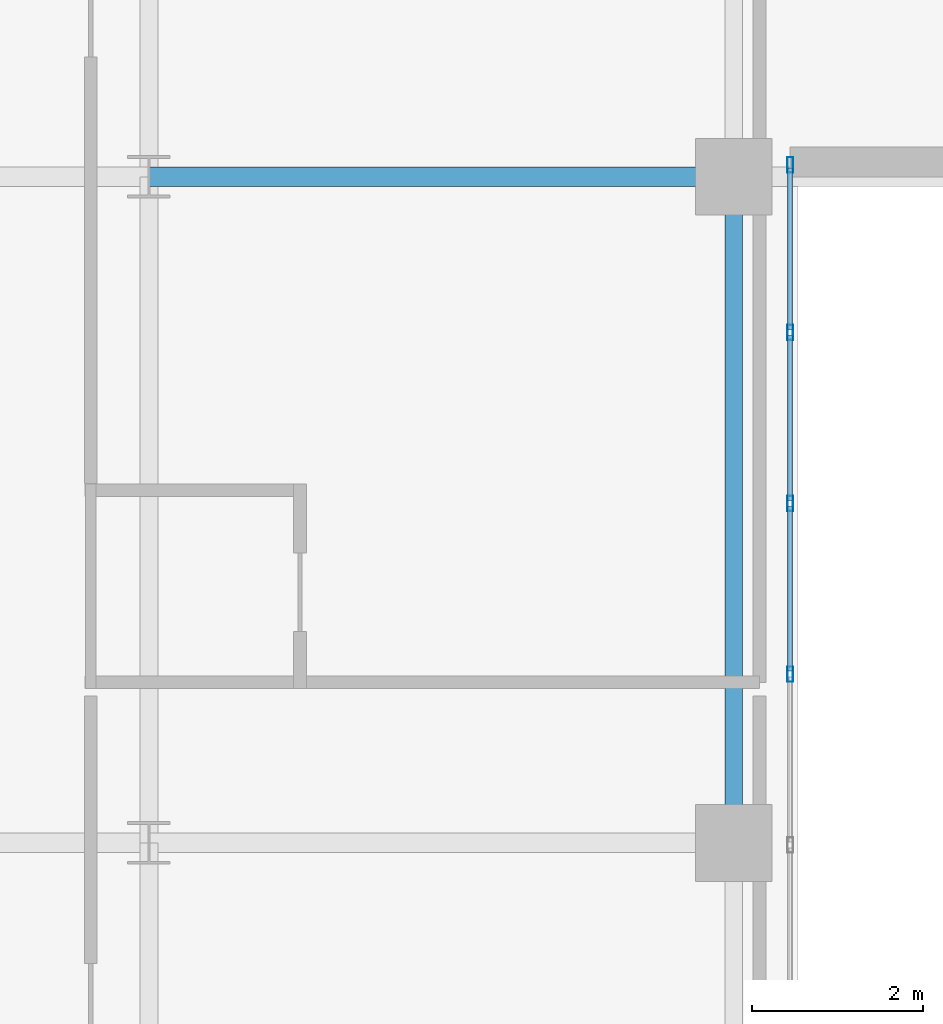
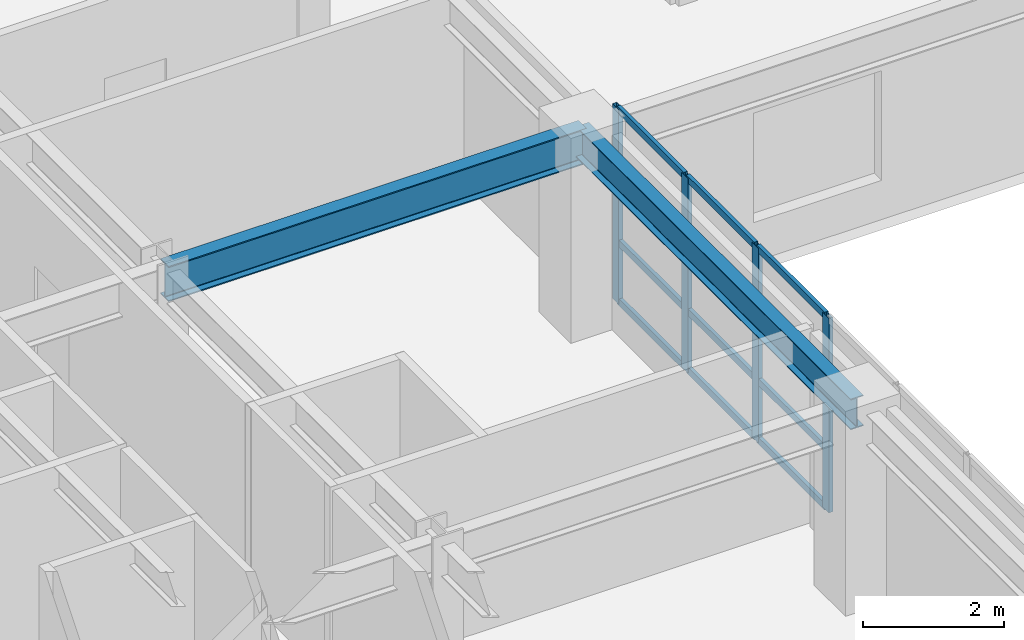
# One storey, part 3 of 16: 13 members, 2 beams, 1 element without a shape of its own.
"""IFC4 building model written with IfcOpenShell, lengths in metres."""

from ifc_helpers import new_model, si_unit, direction, frame, origin, origin_2d, place, context, subcontext, project, spatial, hollow_rectangle, i_section, extrude, source, transform, mapped, material, layer, layer_set, material_profile, profile_set, type_object, type_shapes, element, aggregate, save


model = new_model("IFC4")

# Units and contexts
model_context = context("Model", 3, precision=1e-05, world=origin(), true_north=direction((0.0, 1.0)))
body_context = subcontext(model_context, "Body", "Model", "MODEL_VIEW")
ifc_project = project(units=[si_unit("LENGTHUNIT", "METRE"), si_unit("AREAUNIT", "SQUARE_METRE"), si_unit("VOLUMEUNIT", "CUBIC_METRE"), si_unit("PLANEANGLEUNIT", "RADIAN"), si_unit("MASSUNIT", "GRAM", prefix="KILO")], contexts=[model_context])

# Site, building, storey
site_placement = place(None, origin())
site = spatial("IfcSite", under=ifc_project, at=site_placement, CompositionType="ELEMENT")
building_placement = place(site_placement, origin())
building = spatial("IfcBuilding", under=site, at=building_placement, Name="Tolvann Quenvar Hotel", CompositionType="ELEMENT")
storey_placement = place(building_placement, frame((0.0, 0.0, 85.25)))
storey = spatial("IfcBuildingStorey", under=building, at=storey_placement, Name="L21", CompositionType="ELEMENT", Elevation=85.25)

# Beams
ifc_material_1 = material(Name="Steel Grade 350", Category="steel")
ifc_material_profile_1 = material_profile(ifc_material_1, i_section(OverallWidth=0.22900390625, OverallDepth=0.612060546875, WebThickness=0.011962890625, FlangeThickness=0.01953125, FilletRadius=0.013916015625, at=origin_2d()), Name="610UB125")
ifc_profile_set_1 = profile_set([ifc_material_profile_1], Name="Steel Grade 350")
beam_type_1 = type_object("IfcBeamType", Name="BM_GIRD_610UB125", PredefinedType="BEAM", material=ifc_profile_set_1)
shared_shape_1 = source(origin(), body_context, "Body", "SweptSolid", [
    extrude(i_section(OverallWidth=0.22900390625, OverallDepth=0.612060546875, WebThickness=0.011962890625, FlangeThickness=0.01953125, FilletRadius=0.013916015625, at=origin_2d()), origin(), (0.0, 0.0, 1.0), 6.85009765625),
])
type_shapes(beam_type_1, [shared_shape_1])
beam_1_placement = place(storey_placement, frame((15.199951171875, 16.0, 3.06396484375), z_axis=(1.0, 0.0, 0.0), x_axis=(0.0, 1.0, 0.0)))
element("IfcBeam", 1, at=beam_1_placement, inside=storey, type_object=beam_type_1, Name="BM-L21-EW-4-D4-E4", PredefinedType="BEAM", context=body_context, shape_type="MappedRepresentation", body=[
    mapped(shared_shape_1, transform((0.0, 0.0, 0.0), x_axis=(1.0, 0.0, 0.0), y_axis=(0.0, 1.0, 0.0), z_axis=(0.0, 0.0, 1.0), scale=1.0)),
])
ifc_material_profile_2 = material_profile(ifc_material_1, i_section(OverallWidth=0.208984375, OverallDepth=0.532958984375, WebThickness=0.01025390625, FlangeThickness=0.015625, FilletRadius=0.013916015625, at=origin_2d()), Name="530UB92")
ifc_profile_set_2 = profile_set([ifc_material_profile_2], Name="Steel Grade 350")
beam_type_2 = type_object("IfcBeamType", Name="BM_GIRD_530UB92", PredefinedType="BEAM", material=ifc_profile_set_2)
shared_shape_2 = source(origin(), body_context, "Body", "SweptSolid", [
    extrude(i_section(OverallWidth=0.208984375, OverallDepth=0.532958984375, WebThickness=0.01025390625, FlangeThickness=0.015625, FilletRadius=0.013916015625, at=origin_2d()), origin(), (0.0, 0.0, 1.0), 7.800048828125),
])
type_shapes(beam_type_2, [shared_shape_2])
beam_2_placement = place(storey_placement, frame((22.050048828125, 8.199951171875, 3.103515625), z_axis=(0.0, 1.0, 0.0), x_axis=(-1.0, 0.0, 0.0)))
element("IfcBeam", 2, at=beam_2_placement, inside=storey, type_object=beam_type_2, Name="BM-L21-NS-E3-E4", PredefinedType="BEAM", context=body_context, shape_type="MappedRepresentation", body=[
    mapped(shared_shape_2, transform((0.0, 0.0, 0.0), x_axis=(1.0, 0.0, 0.0), y_axis=(0.0, 1.0, 0.0), z_axis=(0.0, 0.0, 1.0), scale=1.0)),
])

# Curtain wall, members
ifc_material_2 = material(Name="Thermally broken anodised architectural aluminium 6063-T6 and laminated low-E glass", Category="aluminium")
ifc_layer = layer(ifc_material_2, 0.179931640625)
ifc_layer_set = layer_set([ifc_layer], Name="Thermally broken anodised architectural aluminium 6063-T6 and laminated low-E glass")
curtain_wall_type = type_object("IfcCurtainWallType", Name="CW_SYS_SLOT_03", PredefinedType="USERDEFINED", material=ifc_layer_set)
curtain_wall_placement = place(storey_placement, origin())
curtain_wall = element("IfcCurtainWall", 3, at=curtain_wall_placement, inside=storey, type_object=curtain_wall_type, Name="Curtain Wall CW-SLOT-03 (CWR-L21-E05)", ObjectType="UNITISED CURTAIN WALL", PredefinedType="USERDEFINED")
ifc_material_3 = material(Name="Anodised architectural aluminium 6063-T6 framing", Category="aluminium")
ifc_material_profile_3 = material_profile(ifc_material_3, hollow_rectangle(XDim=0.070068359375, YDim=0.179931640625, WallThickness=0.00390625, at=origin_2d()), Name="180x70x4RHS")
ifc_profile_set_3 = profile_set([ifc_material_profile_3], Name="Anodised architectural aluminium 6063-T6 framing")
member_type_1 = type_object("IfcMemberType", Name="CW_MULL_180x70", PredefinedType="MULLION", material=ifc_profile_set_3)
shared_shape_3 = source(origin(), body_context, "Body", "SweptSolid", [
    extrude(hollow_rectangle(XDim=0.070068359375, YDim=0.179931640625, WallThickness=0.00390625, at=origin_2d()), origin(), (0.0, 0.0, 1.0), 3.3701171875),
])
type_shapes(member_type_1, [shared_shape_3])
member_1_placement = place(storey_placement, frame((22.7099609375, 10.175048828125, 0.0), z_axis=(0.0, 0.0, 1.0), x_axis=(-1.0, 0.0, 0.0)))
member_1 = element("IfcMember", 4, at=member_1_placement, type_object=member_type_1, Name="CW-SLOT-03 mullion 6", PredefinedType="MULLION", context=body_context, shape_type="MappedRepresentation", body=[
    mapped(shared_shape_3, transform((0.0, 0.0, 0.0), x_axis=(1.0, 0.0, 0.0), y_axis=(0.0, 1.0, 0.0), z_axis=(0.0, 0.0, 1.0), scale=1.0)),
])
member_2_placement = place(storey_placement, frame((22.7099609375, 12.175048828125, 0.0), z_axis=(0.0, 0.0, 1.0), x_axis=(-1.0, 0.0, 0.0)))
member_2 = element("IfcMember", 5, at=member_2_placement, type_object=member_type_1, Name="CW-SLOT-03 mullion 7", PredefinedType="MULLION", context=body_context, shape_type="MappedRepresentation", body=[
    mapped(shared_shape_3, transform((0.0, 0.0, 0.0), x_axis=(1.0, 0.0, 0.0), y_axis=(0.0, 1.0, 0.0), z_axis=(0.0, 0.0, 1.0), scale=1.0)),
])
member_3_placement = place(storey_placement, frame((22.7099609375, 14.175048828125, 0.0), z_axis=(0.0, 0.0, 1.0), x_axis=(-1.0, 0.0, 0.0)))
member_3 = element("IfcMember", 6, at=member_3_placement, type_object=member_type_1, Name="CW-SLOT-03 mullion 8", PredefinedType="MULLION", context=body_context, shape_type="MappedRepresentation", body=[
    mapped(shared_shape_3, transform((0.0, 0.0, 0.0), x_axis=(1.0, 0.0, 0.0), y_axis=(0.0, 1.0, 0.0), z_axis=(0.0, 0.0, 1.0), scale=1.0)),
])
member_4_placement = place(storey_placement, frame((22.7099609375, 16.139892578125, 0.0), z_axis=(0.0, 0.0, 1.0), x_axis=(-1.0, 0.0, 0.0)))
member_4 = element("IfcMember", 7, at=member_4_placement, type_object=member_type_1, Name="CW-SLOT-03 mullion 9", PredefinedType="MULLION", context=body_context, shape_type="MappedRepresentation", body=[
    mapped(shared_shape_3, transform((0.0, 0.0, 0.0), x_axis=(1.0, 0.0, 0.0), y_axis=(0.0, 1.0, 0.0), z_axis=(0.0, 0.0, 1.0), scale=1.0)),
])
ifc_material_profile_4 = material_profile(ifc_material_3, hollow_rectangle(XDim=0.06005859375, YDim=0.1201171875, WallThickness=0.00341796875, at=origin_2d()), Name="120x60x3.5RHS")
ifc_profile_set_4 = profile_set([ifc_material_profile_4], Name="Anodised architectural aluminium 6063-T6 framing")
member_type_2 = type_object("IfcMemberType", Name="CW_TRAN_120x60", PredefinedType="USERDEFINED", material=ifc_profile_set_4)
shared_shape_4 = source(origin(), body_context, "Body", "SweptSolid", [
    extrude(hollow_rectangle(XDim=0.06005859375, YDim=0.1201171875, WallThickness=0.00341796875, at=origin_2d()), origin(), (0.0, 0.0, 1.0), 1.929931640625),
])
member_5_placement = place(storey_placement, frame((22.7099609375, 10.2099609375, 0.030029296875), z_axis=(0.0, 1.0, 0.0), x_axis=(-1.0, 0.0, 0.0)))
member_5 = element("IfcMember", 8, at=member_5_placement, type_object=member_type_2, Name="CW-SLOT-03 transom 6.1", ObjectType="TRANSOM", PredefinedType="USERDEFINED", context=body_context, shape_type="MappedRepresentation", body=[
    mapped(shared_shape_4, transform((0.0, 0.0, 0.0), x_axis=(1.0, 0.0, 0.0), y_axis=(0.0, 1.0, 0.0), z_axis=(0.0, 0.0, 1.0), scale=1.0)),
])
member_6_placement = place(storey_placement, frame((22.7099609375, 10.2099609375, 1.050048828125), z_axis=(0.0, 1.0, 0.0), x_axis=(-1.0, 0.0, 0.0)))
member_6 = element("IfcMember", 9, at=member_6_placement, type_object=member_type_2, Name="CW-SLOT-03 transom 6.2", ObjectType="TRANSOM", PredefinedType="USERDEFINED", context=body_context, shape_type="MappedRepresentation", body=[
    mapped(shared_shape_4, transform((0.0, 0.0, 0.0), x_axis=(1.0, 0.0, 0.0), y_axis=(0.0, 1.0, 0.0), z_axis=(0.0, 0.0, 1.0), scale=1.0)),
])
member_7_placement = place(storey_placement, frame((22.7099609375, 10.2099609375, 3.340087890625), z_axis=(0.0, 1.0, 0.0), x_axis=(-1.0, 0.0, 0.0)))
member_7 = element("IfcMember", 10, at=member_7_placement, type_object=member_type_2, Name="CW-SLOT-03 transom 6.3", ObjectType="TRANSOM", PredefinedType="USERDEFINED", context=body_context, shape_type="MappedRepresentation", body=[
    mapped(shared_shape_4, transform((0.0, 0.0, 0.0), x_axis=(1.0, 0.0, 0.0), y_axis=(0.0, 1.0, 0.0), z_axis=(0.0, 0.0, 1.0), scale=1.0)),
])
member_8_placement = place(storey_placement, frame((22.7099609375, 12.2099609375, 0.030029296875), z_axis=(0.0, 1.0, 0.0), x_axis=(-1.0, 0.0, 0.0)))
member_8 = element("IfcMember", 11, at=member_8_placement, type_object=member_type_2, Name="CW-SLOT-03 transom 7.1", ObjectType="TRANSOM", PredefinedType="USERDEFINED", context=body_context, shape_type="MappedRepresentation", body=[
    mapped(shared_shape_4, transform((0.0, 0.0, 0.0), x_axis=(1.0, 0.0, 0.0), y_axis=(0.0, 1.0, 0.0), z_axis=(0.0, 0.0, 1.0), scale=1.0)),
])
member_9_placement = place(storey_placement, frame((22.7099609375, 12.2099609375, 1.050048828125), z_axis=(0.0, 1.0, 0.0), x_axis=(-1.0, 0.0, 0.0)))
member_9 = element("IfcMember", 12, at=member_9_placement, type_object=member_type_2, Name="CW-SLOT-03 transom 7.2", ObjectType="TRANSOM", PredefinedType="USERDEFINED", context=body_context, shape_type="MappedRepresentation", body=[
    mapped(shared_shape_4, transform((0.0, 0.0, 0.0), x_axis=(1.0, 0.0, 0.0), y_axis=(0.0, 1.0, 0.0), z_axis=(0.0, 0.0, 1.0), scale=1.0)),
])
member_10_placement = place(storey_placement, frame((22.7099609375, 12.2099609375, 3.340087890625), z_axis=(0.0, 1.0, 0.0), x_axis=(-1.0, 0.0, 0.0)))
member_10 = element("IfcMember", 13, at=member_10_placement, type_object=member_type_2, Name="CW-SLOT-03 transom 7.3", ObjectType="TRANSOM", PredefinedType="USERDEFINED", context=body_context, shape_type="MappedRepresentation", body=[
    mapped(shared_shape_4, transform((0.0, 0.0, 0.0), x_axis=(1.0, 0.0, 0.0), y_axis=(0.0, 1.0, 0.0), z_axis=(0.0, 0.0, 1.0), scale=1.0)),
])
shared_shape_5 = source(origin(), body_context, "Body", "SweptSolid", [
    extrude(hollow_rectangle(XDim=0.06005859375, YDim=0.1201171875, WallThickness=0.00341796875, at=origin_2d()), origin(), (0.0, 0.0, 1.0), 1.89501953125),
])
type_shapes(member_type_2, [shared_shape_4, shared_shape_5])
member_11_placement = place(storey_placement, frame((22.7099609375, 14.2099609375, 0.030029296875), z_axis=(0.0, 1.0, 0.0), x_axis=(-1.0, 0.0, 0.0)))
member_11 = element("IfcMember", 14, at=member_11_placement, type_object=member_type_2, Name="CW-SLOT-03 transom 8.1", ObjectType="TRANSOM", PredefinedType="USERDEFINED", context=body_context, shape_type="MappedRepresentation", body=[
    mapped(shared_shape_5, transform((0.0, 0.0, 0.0), x_axis=(1.0, 0.0, 0.0), y_axis=(0.0, 1.0, 0.0), z_axis=(0.0, 0.0, 1.0), scale=1.0)),
])
member_12_placement = place(storey_placement, frame((22.7099609375, 14.2099609375, 1.050048828125), z_axis=(0.0, 1.0, 0.0), x_axis=(-1.0, 0.0, 0.0)))
member_12 = element("IfcMember", 15, at=member_12_placement, type_object=member_type_2, Name="CW-SLOT-03 transom 8.2", ObjectType="TRANSOM", PredefinedType="USERDEFINED", context=body_context, shape_type="MappedRepresentation", body=[
    mapped(shared_shape_5, transform((0.0, 0.0, 0.0), x_axis=(1.0, 0.0, 0.0), y_axis=(0.0, 1.0, 0.0), z_axis=(0.0, 0.0, 1.0), scale=1.0)),
])
member_13_placement = place(storey_placement, frame((22.7099609375, 14.2099609375, 3.340087890625), z_axis=(0.0, 1.0, 0.0), x_axis=(-1.0, 0.0, 0.0)))
member_13 = element("IfcMember", 16, at=member_13_placement, type_object=member_type_2, Name="CW-SLOT-03 transom 8.3", ObjectType="TRANSOM", PredefinedType="USERDEFINED", context=body_context, shape_type="MappedRepresentation", body=[
    mapped(shared_shape_5, transform((0.0, 0.0, 0.0), x_axis=(1.0, 0.0, 0.0), y_axis=(0.0, 1.0, 0.0), z_axis=(0.0, 0.0, 1.0), scale=1.0)),
])
aggregate(curtain_wall, [member_1, member_2, member_3, member_4, member_5, member_6, member_7, member_8, member_9, member_10, member_11, member_12, member_13])

save(model, "model.ifc")
